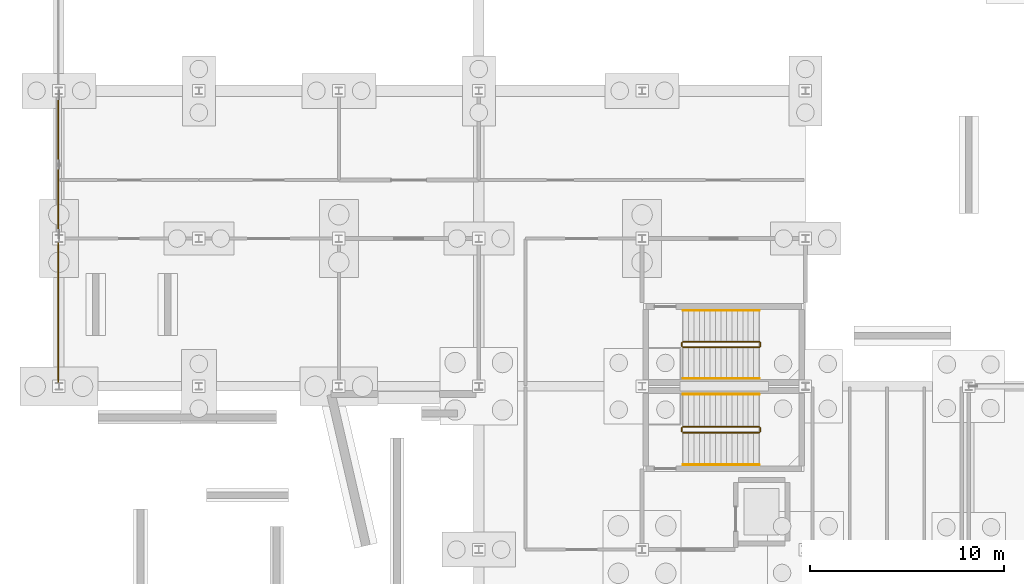
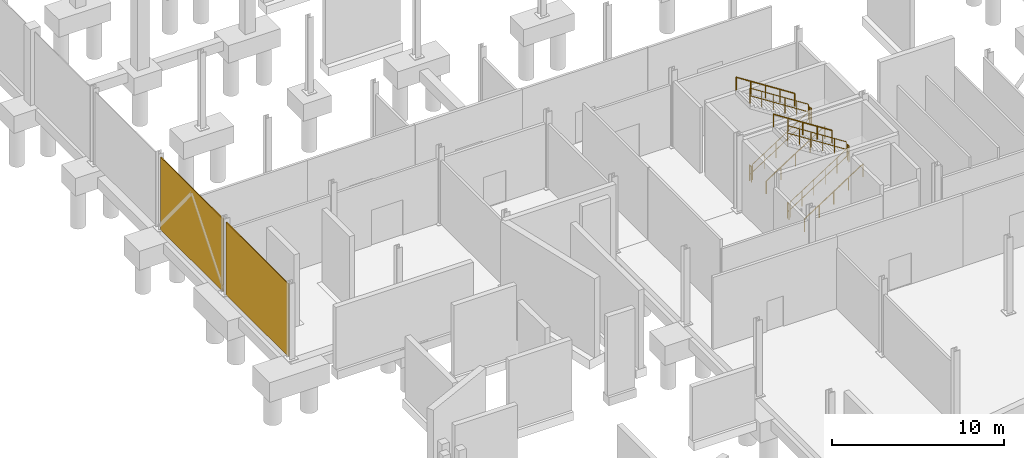
# One storey, part 51 of 61: 12 railings, 2 coverings.
"""IFC4 building model written with IfcOpenShell, lengths in metres."""

from ifc_helpers import new_model, si_unit, direction, frame, origin, origin_2d, place, context, subcontext, project, spatial, polyline, circle, outline, extrude, material, layer, layer_set, type_object, element, save


model = new_model("IFC4")

# Units and contexts
model_context = context("Model", 3, precision=1e-05, world=origin(), true_north=direction((0.0, 1.0)))
body_context = subcontext(model_context, "Body", "Model", "MODEL_VIEW")
ifc_project = project(units=[si_unit("LENGTHUNIT", "METRE"), si_unit("AREAUNIT", "SQUARE_METRE"), si_unit("VOLUMEUNIT", "CUBIC_METRE"), si_unit("PLANEANGLEUNIT", "RADIAN"), si_unit("MASSUNIT", "GRAM", prefix="KILO")], contexts=[model_context])

# Site, building, storey
site_placement = place(None, origin())
site = spatial("IfcSite", under=ifc_project, at=site_placement, CompositionType="ELEMENT")
building_placement = place(site_placement, origin())
building = spatial("IfcBuilding", under=site, at=building_placement, Name="Calvrana Isthmian Art Gallery", CompositionType="ELEMENT")
storey_placement = place(building_placement, frame((0.0, 0.0, -5.39990234375)))
storey = spatial("IfcBuildingStorey", under=building, at=storey_placement, Name="B1", CompositionType="ELEMENT", Elevation=-5.39990234375)

# Coverings
ifc_material_1 = material(Name="Pale Isthmian limestone", Category="masonry")
ifc_layer = layer(ifc_material_1, 0.06005859375, Name="Pale Isthmian limestone")
ifc_layer_set = layer_set([ifc_layer], Name="Pale Isthmian limestone")
covering_type = type_object("IfcCoveringType", Name="COV-PLINTH-LIME", PredefinedType="CLADDING", material=ifc_layer_set)
covering_1_placement = place(storey_placement, origin())
element("IfcCovering", 1, at=covering_1_placement, inside=storey, type_object=covering_type, Name="Limestone basement plinth panel Y-027", PredefinedType="CLADDING", context=body_context, shape_type="SweptSolid", body=[
    extrude(outline(polyline([(-0.06005859375, 46.98193359375), (0.0, 46.98193359375), (0.0, 54.215576171875), (-0.06005859375, 54.215576171875), (-0.06005859375, 46.98193359375)])), origin(), (0.0, 0.0, 1.0), 5.14990234375),
])
covering_2_placement = place(storey_placement, origin())
element("IfcCovering", 2, at=covering_2_placement, inside=storey, type_object=covering_type, Name="Limestone basement plinth panel Y-028", PredefinedType="CLADDING", context=body_context, shape_type="SweptSolid", body=[
    extrude(outline(polyline([(-0.06005859375, 54.58447265625), (0.0, 54.58447265625), (0.0, 61.823974609375), (-0.06005859375, 61.823974609375), (-0.06005859375, 54.58447265625)])), origin(), (0.0, 0.0, 1.0), 5.14990234375),
])

# Railings
ifc_material_2 = material(Name="Stainless steel 316", Category="steel")
railing_type_1 = type_object("IfcRailingType", Name="RL-GUARD-1120", PredefinedType="BALUSTRADE", material=ifc_material_2)
railing_1_placement = place(storey_placement, frame((32.10009765625, 44.419921875, 0.179931640625)))
element("IfcRailing", 3, at=railing_1_placement, inside=storey, type_object=railing_type_1, Name="Stair ST-1 guard B1-1", PredefinedType="BALUSTRADE", context=body_context, shape_type="SweptSolid", body=[
    extrude(circle(Radius=0.02392578125, at=origin_2d()), frame((0.0, 0.0, 1.09619140625), z_axis=(0.841171666519, 0.0, 0.540768182723), x_axis=(0.0, 1.0, 0.0)), (0.0, 0.0, 1.0), 4.66015625),
    extrude(circle(Radius=0.02392578125, at=origin_2d()), frame((0.0, 0.0, 0.56005859375), z_axis=(0.841171666519, 0.0, 0.540768182723), x_axis=(0.0, 1.0, 0.0)), (0.0, 0.0, 1.0), 4.66015625),
    extrude(circle(Radius=0.02099609375, at=origin_2d()), origin(), (0.0, 0.0, 1.0), 1.072021484375),
    extrude(circle(Radius=0.02099609375, at=origin_2d()), frame((0.783935546875, 0.0, 0.50390625)), (0.0, 0.0, 1.0), 1.072021484375),
    extrude(circle(Radius=0.02099609375, at=origin_2d()), frame((1.56787109375, 0.0, 1.008056640625)), (0.0, 0.0, 1.0), 1.072021484375),
    extrude(circle(Radius=0.02099609375, at=origin_2d()), frame((2.35205078125, 0.0, 1.511962890625)), (0.0, 0.0, 1.0), 1.072021484375),
    extrude(circle(Radius=0.02099609375, at=origin_2d()), frame((3.135986328125, 0.0, 2.01611328125)), (0.0, 0.0, 1.0), 1.072021484375),
    extrude(circle(Radius=0.02099609375, at=origin_2d()), frame((3.919921875, 0.0, 2.52001953125)), (0.0, 0.0, 1.0), 1.072021484375),
])
railing_2_placement = place(storey_placement, frame((36.070068359375, 44.469970703125, 2.699951171875)))
element("IfcRailing", 4, at=railing_2_placement, inside=storey, type_object=railing_type_1, Name="Stair ST-1 guard B1-2", PredefinedType="BALUSTRADE", context=body_context, shape_type="SweptSolid", body=[
    extrude(circle(Radius=0.02392578125, at=origin_2d()), frame((0.0, 0.0, 1.09619140625), z_axis=(0.0, 1.0, 0.0), x_axis=(-1.0, 0.0, 0.0)), (0.0, 0.0, 1.0), 0.199951171875),
    extrude(circle(Radius=0.02392578125, at=origin_2d()), frame((0.0, 0.0, 0.56005859375), z_axis=(0.0, 1.0, 0.0), x_axis=(-1.0, 0.0, 0.0)), (0.0, 0.0, 1.0), 0.199951171875),
    extrude(circle(Radius=0.02099609375, at=origin_2d()), origin(), (0.0, 0.0, 1.0), 1.072021484375),
    extrude(circle(Radius=0.02099609375, at=origin_2d()), frame((0.0, 0.199951171875, 0.0)), (0.0, 0.0, 1.0), 1.072021484375),
])
railing_3_placement = place(storey_placement, frame((36.02001953125, 44.719970703125, 2.8798828125)))
element("IfcRailing", 5, at=railing_3_placement, inside=storey, type_object=railing_type_1, Name="Stair ST-1 guard B1-3", PredefinedType="BALUSTRADE", context=body_context, shape_type="SweptSolid", body=[
    extrude(circle(Radius=0.02392578125, at=origin_2d()), frame((0.0, 0.0, 1.09619140625), z_axis=(-0.841171666519, 0.0, 0.540768182723), x_axis=(0.0, -1.0, 0.0)), (0.0, 0.0, 1.0), 4.66015625),
    extrude(circle(Radius=0.02392578125, at=origin_2d()), frame((0.0, 0.0, 0.56005859375), z_axis=(-0.841171666519, 0.0, 0.540768182723), x_axis=(0.0, -1.0, 0.0)), (0.0, 0.0, 1.0), 4.66015625),
    extrude(circle(Radius=0.02099609375, at=origin_2d()), origin(), (0.0, 0.0, 1.0), 1.072021484375),
    extrude(circle(Radius=0.02099609375, at=origin_2d()), frame((-0.783935546875, 0.0, 0.50390625)), (0.0, 0.0, 1.0), 1.072021484375),
    extrude(circle(Radius=0.02099609375, at=origin_2d()), frame((-1.56787109375, 0.0, 1.008056640625)), (0.0, 0.0, 1.0), 1.072021484375),
    extrude(circle(Radius=0.02099609375, at=origin_2d()), frame((-2.35205078125, 0.0, 1.511962890625)), (0.0, 0.0, 1.0), 1.072021484375),
    extrude(circle(Radius=0.02099609375, at=origin_2d()), frame((-3.135986328125, 0.0, 2.01611328125)), (0.0, 0.0, 1.0), 1.072021484375),
    extrude(circle(Radius=0.02099609375, at=origin_2d()), frame((-3.919921875, 0.0, 2.52001953125)), (0.0, 0.0, 1.0), 1.072021484375),
])
railing_4_placement = place(storey_placement, frame((32.050048828125, 44.469970703125, 0.0)))
element("IfcRailing", 6, at=railing_4_placement, inside=storey, type_object=railing_type_1, Name="Stair ST-1 guard B1-4", PredefinedType="BALUSTRADE", context=body_context, shape_type="SweptSolid", body=[
    extrude(circle(Radius=0.02392578125, at=origin_2d()), frame((0.0, 0.0, 1.09619140625), z_axis=(0.0, 1.0, 0.0), x_axis=(-1.0, 0.0, 0.0)), (0.0, 0.0, 1.0), 0.199951171875),
    extrude(circle(Radius=0.02392578125, at=origin_2d()), frame((0.0, 0.0, 0.56005859375), z_axis=(0.0, 1.0, 0.0), x_axis=(-1.0, 0.0, 0.0)), (0.0, 0.0, 1.0), 0.199951171875),
    extrude(circle(Radius=0.02099609375, at=origin_2d()), origin(), (0.0, 0.0, 1.0), 1.072021484375),
    extrude(circle(Radius=0.02099609375, at=origin_2d()), frame((0.0, 0.199951171875, 0.0)), (0.0, 0.0, 1.0), 1.072021484375),
])
railing_5_placement = place(storey_placement, frame((32.10009765625, 48.800048828125, 0.179931640625)))
element("IfcRailing", 7, at=railing_5_placement, inside=storey, type_object=railing_type_1, Name="Stair ST-7 guard B1-1", PredefinedType="BALUSTRADE", context=body_context, shape_type="SweptSolid", body=[
    extrude(circle(Radius=0.02392578125, at=origin_2d()), frame((0.0, 0.0, 1.09619140625), z_axis=(0.841171666519, 0.0, 0.540768182723), x_axis=(0.0, 1.0, 0.0)), (0.0, 0.0, 1.0), 4.66015625),
    extrude(circle(Radius=0.02392578125, at=origin_2d()), frame((0.0, 0.0, 0.56005859375), z_axis=(0.841171666519, 0.0, 0.540768182723), x_axis=(0.0, 1.0, 0.0)), (0.0, 0.0, 1.0), 4.66015625),
    extrude(circle(Radius=0.02099609375, at=origin_2d()), origin(), (0.0, 0.0, 1.0), 1.072021484375),
    extrude(circle(Radius=0.02099609375, at=origin_2d()), frame((0.783935546875, 0.0, 0.50390625)), (0.0, 0.0, 1.0), 1.072021484375),
    extrude(circle(Radius=0.02099609375, at=origin_2d()), frame((1.56787109375, 0.0, 1.008056640625)), (0.0, 0.0, 1.0), 1.072021484375),
    extrude(circle(Radius=0.02099609375, at=origin_2d()), frame((2.35205078125, 0.0, 1.511962890625)), (0.0, 0.0, 1.0), 1.072021484375),
    extrude(circle(Radius=0.02099609375, at=origin_2d()), frame((3.135986328125, 0.0, 2.01611328125)), (0.0, 0.0, 1.0), 1.072021484375),
    extrude(circle(Radius=0.02099609375, at=origin_2d()), frame((3.919921875, 0.0, 2.52001953125)), (0.0, 0.0, 1.0), 1.072021484375),
])
railing_6_placement = place(storey_placement, frame((36.070068359375, 48.85009765625, 2.699951171875)))
element("IfcRailing", 8, at=railing_6_placement, inside=storey, type_object=railing_type_1, Name="Stair ST-7 guard B1-2", PredefinedType="BALUSTRADE", context=body_context, shape_type="SweptSolid", body=[
    extrude(circle(Radius=0.02392578125, at=origin_2d()), frame((0.0, 0.0, 1.09619140625), z_axis=(0.0, 1.0, 0.0), x_axis=(-1.0, 0.0, 0.0)), (0.0, 0.0, 1.0), 0.199951171875),
    extrude(circle(Radius=0.02392578125, at=origin_2d()), frame((0.0, 0.0, 0.56005859375), z_axis=(0.0, 1.0, 0.0), x_axis=(-1.0, 0.0, 0.0)), (0.0, 0.0, 1.0), 0.199951171875),
    extrude(circle(Radius=0.02099609375, at=origin_2d()), origin(), (0.0, 0.0, 1.0), 1.072021484375),
    extrude(circle(Radius=0.02099609375, at=origin_2d()), frame((0.0, 0.199951171875, 0.0)), (0.0, 0.0, 1.0), 1.072021484375),
])
railing_7_placement = place(storey_placement, frame((36.02001953125, 49.10009765625, 2.8798828125)))
element("IfcRailing", 9, at=railing_7_placement, inside=storey, type_object=railing_type_1, Name="Stair ST-7 guard B1-3", PredefinedType="BALUSTRADE", context=body_context, shape_type="SweptSolid", body=[
    extrude(circle(Radius=0.02392578125, at=origin_2d()), frame((0.0, 0.0, 1.09619140625), z_axis=(-0.841171666519, 0.0, 0.540768182723), x_axis=(0.0, -1.0, 0.0)), (0.0, 0.0, 1.0), 4.66015625),
    extrude(circle(Radius=0.02392578125, at=origin_2d()), frame((0.0, 0.0, 0.56005859375), z_axis=(-0.841171666519, 0.0, 0.540768182723), x_axis=(0.0, -1.0, 0.0)), (0.0, 0.0, 1.0), 4.66015625),
    extrude(circle(Radius=0.02099609375, at=origin_2d()), origin(), (0.0, 0.0, 1.0), 1.072021484375),
    extrude(circle(Radius=0.02099609375, at=origin_2d()), frame((-0.783935546875, 0.0, 0.50390625)), (0.0, 0.0, 1.0), 1.072021484375),
    extrude(circle(Radius=0.02099609375, at=origin_2d()), frame((-1.56787109375, 0.0, 1.008056640625)), (0.0, 0.0, 1.0), 1.072021484375),
    extrude(circle(Radius=0.02099609375, at=origin_2d()), frame((-2.35205078125, 0.0, 1.511962890625)), (0.0, 0.0, 1.0), 1.072021484375),
    extrude(circle(Radius=0.02099609375, at=origin_2d()), frame((-3.135986328125, 0.0, 2.01611328125)), (0.0, 0.0, 1.0), 1.072021484375),
    extrude(circle(Radius=0.02099609375, at=origin_2d()), frame((-3.919921875, 0.0, 2.52001953125)), (0.0, 0.0, 1.0), 1.072021484375),
])
railing_8_placement = place(storey_placement, frame((32.050048828125, 48.85009765625, 0.0)))
element("IfcRailing", 10, at=railing_8_placement, inside=storey, type_object=railing_type_1, Name="Stair ST-7 guard B1-4", PredefinedType="BALUSTRADE", context=body_context, shape_type="SweptSolid", body=[
    extrude(circle(Radius=0.02392578125, at=origin_2d()), frame((0.0, 0.0, 1.09619140625), z_axis=(0.0, 1.0, 0.0), x_axis=(-1.0, 0.0, 0.0)), (0.0, 0.0, 1.0), 0.199951171875),
    extrude(circle(Radius=0.02392578125, at=origin_2d()), frame((0.0, 0.0, 0.56005859375), z_axis=(0.0, 1.0, 0.0), x_axis=(-1.0, 0.0, 0.0)), (0.0, 0.0, 1.0), 0.199951171875),
    extrude(circle(Radius=0.02099609375, at=origin_2d()), origin(), (0.0, 0.0, 1.0), 1.072021484375),
    extrude(circle(Radius=0.02099609375, at=origin_2d()), frame((0.0, 0.199951171875, 0.0)), (0.0, 0.0, 1.0), 1.072021484375),
])
railing_type_2 = type_object("IfcRailingType", Name="RL-HAND-920", PredefinedType="HANDRAIL", material=ifc_material_2)
railing_9_placement = place(storey_placement, frame((32.10009765625, 42.760009765625, 0.179931640625)))
element("IfcRailing", 11, at=railing_9_placement, inside=storey, type_object=railing_type_2, Name="Stair ST-1 handrail B1-1", PredefinedType="HANDRAIL", context=body_context, shape_type="SweptSolid", body=[
    extrude(circle(Radius=0.02392578125, at=origin_2d()), frame((0.0, 0.0, 0.89599609375), z_axis=(0.841171666519, 0.0, 0.540768182723), x_axis=(0.0, 1.0, 0.0)), (0.0, 0.0, 1.0), 4.66015625),
    extrude(circle(Radius=0.02099609375, at=origin_2d()), origin(), (0.0, 0.0, 1.0), 0.871826171875),
    extrude(circle(Radius=0.02099609375, at=origin_2d()), frame((0.97998046875, 0.0, 0.6298828125)), (0.0, 0.0, 1.0), 0.871826171875),
    extrude(circle(Radius=0.02099609375, at=origin_2d()), frame((1.9599609375, 0.0, 1.260009765625)), (0.0, 0.0, 1.0), 0.871826171875),
    extrude(circle(Radius=0.02099609375, at=origin_2d()), frame((2.93994140625, 0.0, 1.89013671875)), (0.0, 0.0, 1.0), 0.871826171875),
    extrude(circle(Radius=0.02099609375, at=origin_2d()), frame((3.919921875, 0.0, 2.52001953125)), (0.0, 0.0, 1.0), 0.871826171875),
])
railing_10_placement = place(storey_placement, frame((36.02001953125, 46.3798828125, 2.8798828125)))
element("IfcRailing", 12, at=railing_10_placement, inside=storey, type_object=railing_type_2, Name="Stair ST-1 handrail B1-2", PredefinedType="HANDRAIL", context=body_context, shape_type="SweptSolid", body=[
    extrude(circle(Radius=0.02392578125, at=origin_2d()), frame((0.0, 0.0, 0.89599609375), z_axis=(-0.841171666519, 0.0, 0.540768182723), x_axis=(0.0, -1.0, 0.0)), (0.0, 0.0, 1.0), 4.66015625),
    extrude(circle(Radius=0.02099609375, at=origin_2d()), origin(), (0.0, 0.0, 1.0), 0.871826171875),
    extrude(circle(Radius=0.02099609375, at=origin_2d()), frame((-0.97998046875, 0.0, 0.6298828125)), (0.0, 0.0, 1.0), 0.871826171875),
    extrude(circle(Radius=0.02099609375, at=origin_2d()), frame((-1.9599609375, 0.0, 1.260009765625)), (0.0, 0.0, 1.0), 0.871826171875),
    extrude(circle(Radius=0.02099609375, at=origin_2d()), frame((-2.93994140625, 0.0, 1.89013671875)), (0.0, 0.0, 1.0), 0.871826171875),
    extrude(circle(Radius=0.02099609375, at=origin_2d()), frame((-3.919921875, 0.0, 2.52001953125)), (0.0, 0.0, 1.0), 0.871826171875),
])
railing_11_placement = place(storey_placement, frame((32.10009765625, 47.199951171875, 0.179931640625)))
element("IfcRailing", 13, at=railing_11_placement, inside=storey, type_object=railing_type_2, Name="Stair ST-7 handrail B1-1", PredefinedType="HANDRAIL", context=body_context, shape_type="SweptSolid", body=[
    extrude(circle(Radius=0.02392578125, at=origin_2d()), frame((0.0, 0.0, 0.89599609375), z_axis=(0.841171666519, 0.0, 0.540768182723), x_axis=(0.0, 1.0, 0.0)), (0.0, 0.0, 1.0), 4.66015625),
    extrude(circle(Radius=0.02099609375, at=origin_2d()), origin(), (0.0, 0.0, 1.0), 0.871826171875),
    extrude(circle(Radius=0.02099609375, at=origin_2d()), frame((0.97998046875, 0.0, 0.6298828125)), (0.0, 0.0, 1.0), 0.871826171875),
    extrude(circle(Radius=0.02099609375, at=origin_2d()), frame((1.9599609375, 0.0, 1.260009765625)), (0.0, 0.0, 1.0), 0.871826171875),
    extrude(circle(Radius=0.02099609375, at=origin_2d()), frame((2.93994140625, 0.0, 1.89013671875)), (0.0, 0.0, 1.0), 0.871826171875),
    extrude(circle(Radius=0.02099609375, at=origin_2d()), frame((3.919921875, 0.0, 2.52001953125)), (0.0, 0.0, 1.0), 0.871826171875),
])
railing_12_placement = place(storey_placement, frame((36.02001953125, 50.699951171875, 2.8798828125)))
element("IfcRailing", 14, at=railing_12_placement, inside=storey, type_object=railing_type_2, Name="Stair ST-7 handrail B1-2", PredefinedType="HANDRAIL", context=body_context, shape_type="SweptSolid", body=[
    extrude(circle(Radius=0.02392578125, at=origin_2d()), frame((0.0, 0.0, 0.89599609375), z_axis=(-0.841171666519, 0.0, 0.540768182723), x_axis=(0.0, -1.0, 0.0)), (0.0, 0.0, 1.0), 4.66015625),
    extrude(circle(Radius=0.02099609375, at=origin_2d()), origin(), (0.0, 0.0, 1.0), 0.871826171875),
    extrude(circle(Radius=0.02099609375, at=origin_2d()), frame((-0.97998046875, 0.0, 0.6298828125)), (0.0, 0.0, 1.0), 0.871826171875),
    extrude(circle(Radius=0.02099609375, at=origin_2d()), frame((-1.9599609375, 0.0, 1.260009765625)), (0.0, 0.0, 1.0), 0.871826171875),
    extrude(circle(Radius=0.02099609375, at=origin_2d()), frame((-2.93994140625, 0.0, 1.89013671875)), (0.0, 0.0, 1.0), 0.871826171875),
    extrude(circle(Radius=0.02099609375, at=origin_2d()), frame((-3.919921875, 0.0, 2.52001953125)), (0.0, 0.0, 1.0), 0.871826171875),
])

save(model, "model.ifc")
